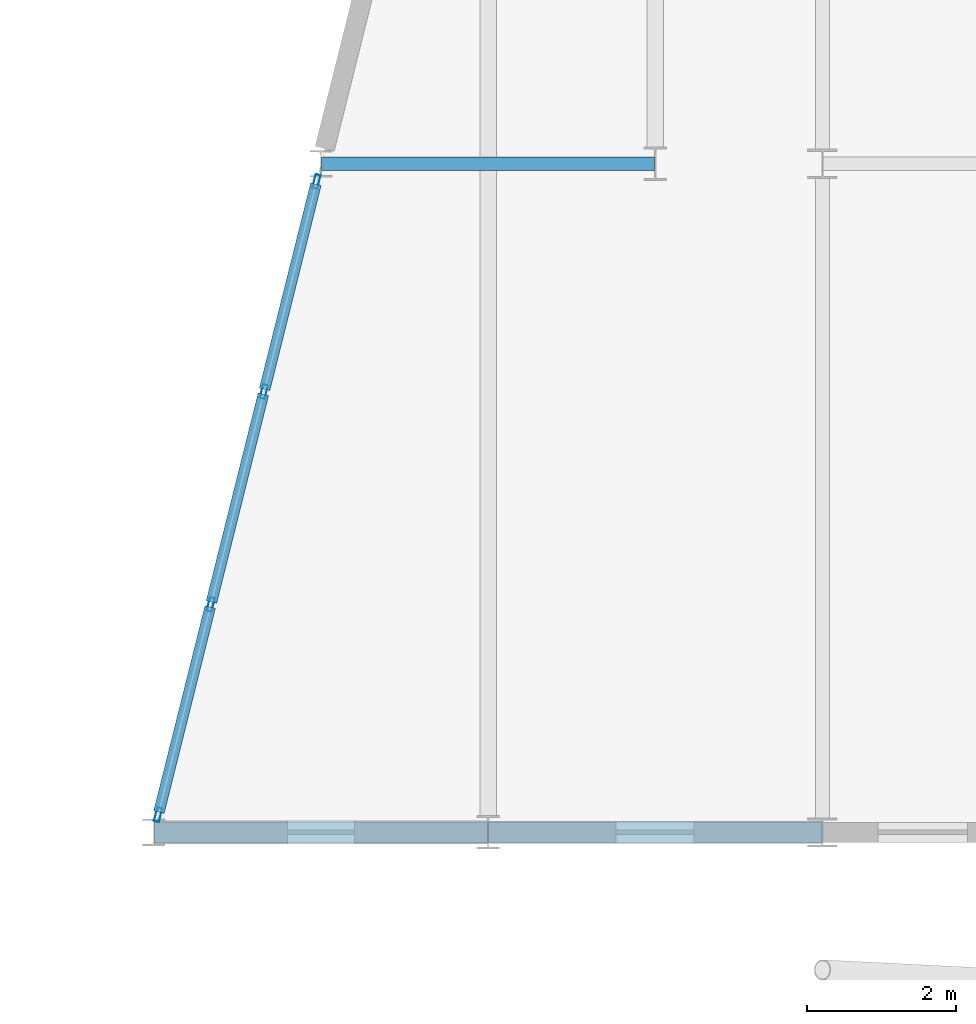
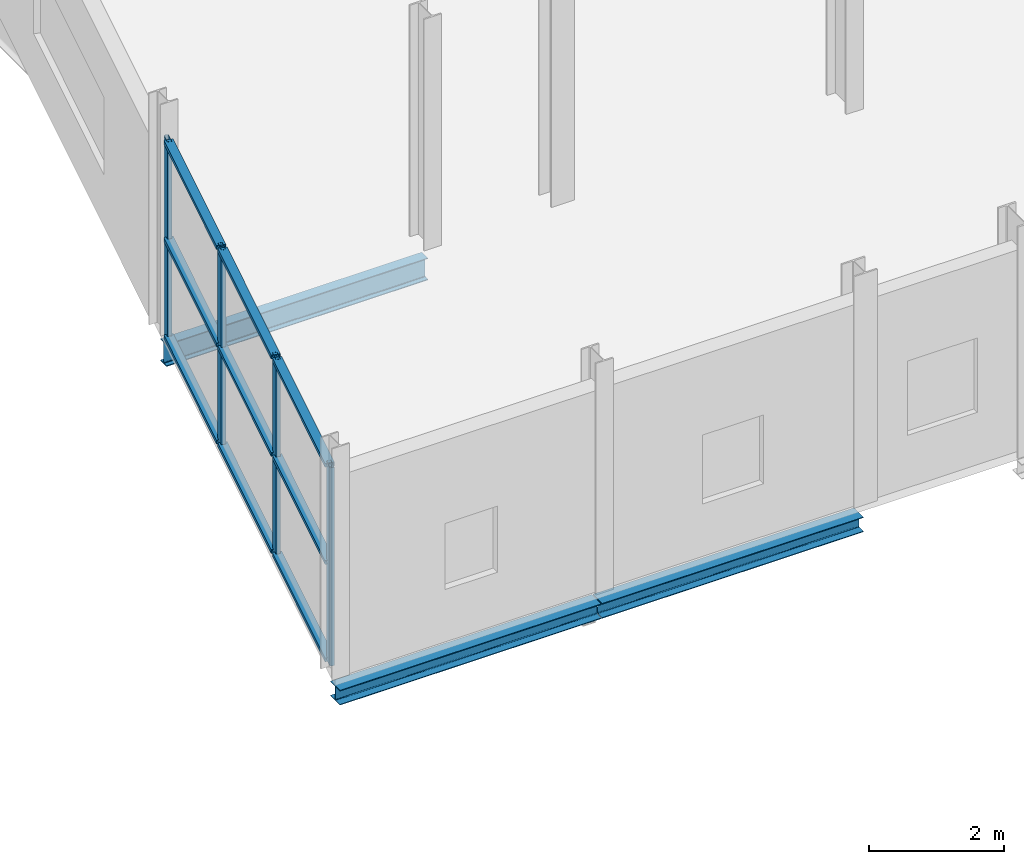
# One storey, part 55 of 140: 13 members, 3 beams, 1 element without a shape of its own.
"""IFC4 building model written with IfcOpenShell, lengths in metres."""

from ifc_helpers import new_model, si_unit, direction, frame, origin, origin_2d, place, context, subcontext, project, spatial, hollow_rectangle, i_section, extrude, material, layer, layer_set, material_profile, profile_set, type_object, element, aggregate, save


model = new_model("IFC4")

# Units and contexts
model_context = context("Model", 3, precision=1e-05, world=origin(), true_north=direction((0.0, 1.0)))
body_context = subcontext(model_context, "Body", "Model", "MODEL_VIEW")
ifc_project = project(units=[si_unit("LENGTHUNIT", "METRE"), si_unit("AREAUNIT", "SQUARE_METRE"), si_unit("VOLUMEUNIT", "CUBIC_METRE"), si_unit("PLANEANGLEUNIT", "RADIAN"), si_unit("MASSUNIT", "GRAM", prefix="KILO")], contexts=[model_context])

# Site, building, storey
site_placement = place(None, origin())
site = spatial("IfcSite", under=ifc_project, at=site_placement, CompositionType="ELEMENT")
building_placement = place(site_placement, origin())
building = spatial("IfcBuilding", under=site, at=building_placement, Name="Deido Ridge Mobility Hub", CompositionType="ELEMENT")
storey_placement = place(building_placement, origin())
storey = spatial("IfcBuildingStorey", under=building, at=storey_placement, Name="L00", CompositionType="ELEMENT", Elevation=0.0)

# Beam
ifc_material_1 = material(Name="Steel S355J2 EN 10025-2", Category="steel")
ifc_material_profile_1 = material_profile(ifc_material_1, i_section(OverallWidth=0.179931640625, OverallDepth=0.39990234375, WebThickness=0.008544921875, FlangeThickness=0.013427734375, FilletRadius=0.02099609375, at=origin_2d()), Name="IPE 400")
ifc_profile_set_1 = profile_set([ifc_material_profile_1], Name="Steel S355J2 EN 10025-2")
beam_type_1 = type_object("IfcBeamType", Name="BM-IPE400", PredefinedType="BEAM", material=ifc_profile_set_1)
beam_1_placement = place(storey_placement, frame((119.256103515625, 9.0, -0.4599609375), z_axis=(1.0, 0.0, 0.0), x_axis=(0.0, 1.0, 0.0)))
element("IfcBeam", 1, at=beam_1_placement, inside=storey, type_object=beam_type_1, Name="Floor beam B5", PredefinedType="BEAM", context=body_context, shape_type="SweptSolid", body=[
    extrude(i_section(OverallWidth=0.179931640625, OverallDepth=0.39990234375, WebThickness=0.008544921875, FlangeThickness=0.013427734375, FilletRadius=0.02099609375, at=origin_2d()), origin(), (0.0, 0.0, 1.0), 4.48681640625),
])

# Curtain wall, members
ifc_material_2 = material(Name="Anodised aluminium EN AW-6063 T6", Category="aluminium")
ifc_layer = layer(ifc_material_2, 0.239990234375, Name="Anodised aluminium EN AW-6063 T6")
ifc_layer_set = layer_set([ifc_layer], Name="Anodised aluminium EN AW-6063 T6")
curtain_wall_type = type_object("IfcCurtainWallType", Name="CW-UF-6", PredefinedType="USERDEFINED", material=ifc_layer_set)
curtain_wall_placement = place(storey_placement, origin())
curtain_wall = element("IfcCurtainWall", 2, at=curtain_wall_placement, inside=storey, type_object=curtain_wall_type, Name="Unitised curtain wall CW6", ObjectType="UNITISED FACADE", PredefinedType="USERDEFINED")
ifc_material_profile_2 = material_profile(ifc_material_2, hollow_rectangle(XDim=0.070068359375, YDim=0.18994140625, WallThickness=0.00390625, at=origin_2d()), Name="RHS 70x190x4")
ifc_profile_set_2 = profile_set([ifc_material_profile_2], Name="Anodised aluminium EN AW-6063 T6")
member_type_1 = type_object("IfcMemberType", Name="MEM-MUL-70X190", PredefinedType="MULLION", material=ifc_profile_set_2)
member_1_placement = place(storey_placement, frame((117.0595703125, 0.23876953125, 0.0), z_axis=(0.0, 0.0, 1.0), x_axis=(-0.970143828731, 0.242530310632, 0.0)))
member_1 = element("IfcMember", 3, at=member_1_placement, type_object=member_type_1, Name="CW6 mullion 1", PredefinedType="MULLION", context=body_context, shape_type="SweptSolid", body=[
    extrude(hollow_rectangle(XDim=0.070068359375, YDim=0.18994140625, WallThickness=0.00390625, at=origin_2d()), origin(), (0.0, 0.0, 1.0), 3.60009765625),
])
member_2_placement = place(storey_placement, frame((117.76708984375, 3.068115234375, 0.0), z_axis=(0.0, 0.0, 1.0), x_axis=(-0.970143828731, 0.242530310632, 0.0)))
member_2 = element("IfcMember", 4, at=member_2_placement, type_object=member_type_1, Name="CW6 mullion 2", PredefinedType="MULLION", context=body_context, shape_type="SweptSolid", body=[
    extrude(hollow_rectangle(XDim=0.070068359375, YDim=0.18994140625, WallThickness=0.00390625, at=origin_2d()), origin(), (0.0, 0.0, 1.0), 3.60009765625),
])
member_3_placement = place(storey_placement, frame((118.48291015625, 5.931884765625, 0.0), z_axis=(0.0, 0.0, 1.0), x_axis=(-0.970143828731, 0.242530310632, 0.0)))
member_3 = element("IfcMember", 5, at=member_3_placement, type_object=member_type_1, Name="CW6 mullion 3", PredefinedType="MULLION", context=body_context, shape_type="SweptSolid", body=[
    extrude(hollow_rectangle(XDim=0.070068359375, YDim=0.18994140625, WallThickness=0.00390625, at=origin_2d()), origin(), (0.0, 0.0, 1.0), 3.60009765625),
])
member_4_placement = place(storey_placement, frame((119.1904296875, 8.76123046875, 0.0), z_axis=(0.0, 0.0, 1.0), x_axis=(-0.970143828731, 0.242530310632, 0.0)))
member_4 = element("IfcMember", 6, at=member_4_placement, type_object=member_type_1, Name="CW6 mullion 4", PredefinedType="MULLION", context=body_context, shape_type="SweptSolid", body=[
    extrude(hollow_rectangle(XDim=0.070068359375, YDim=0.18994140625, WallThickness=0.00390625, at=origin_2d()), origin(), (0.0, 0.0, 1.0), 3.60009765625),
])
ifc_material_profile_3 = material_profile(ifc_material_2, hollow_rectangle(XDim=0.14501953125, YDim=0.070068359375, WallThickness=0.00390625, at=origin_2d()), Name="RHS 145x70x4")
ifc_profile_set_3 = profile_set([ifc_material_profile_3], Name="Anodised aluminium EN AW-6063 T6")
member_type_2 = type_object("IfcMemberType", Name="MEM-TRN-145X70", PredefinedType="USERDEFINED", material=ifc_profile_set_3)
member_5_placement = place(storey_placement, frame((117.068115234375, 0.272705078125, 0.034912109375), z_axis=(0.242555806014, 0.970137454678, 0.0), x_axis=(-0.970137454678, 0.242555806014, 0.0)))
member_5 = element("IfcMember", 7, at=member_5_placement, type_object=member_type_2, Name="CW6 transom 1.1", ObjectType="TRANSOM", PredefinedType="USERDEFINED", context=body_context, shape_type="SweptSolid", body=[
    extrude(hollow_rectangle(XDim=0.14501953125, YDim=0.070068359375, WallThickness=0.00390625, at=origin_2d()), origin(), (0.0, 0.0, 1.0), 2.846435546875),
])
member_6_placement = place(storey_placement, frame((117.068115234375, 0.272705078125, 1.800048828125), z_axis=(0.242555806014, 0.970137454678, 0.0), x_axis=(-0.970137454678, 0.242555806014, 0.0)))
member_6 = element("IfcMember", 8, at=member_6_placement, type_object=member_type_2, Name="CW6 transom 1.2", ObjectType="TRANSOM", PredefinedType="USERDEFINED", context=body_context, shape_type="SweptSolid", body=[
    extrude(hollow_rectangle(XDim=0.14501953125, YDim=0.070068359375, WallThickness=0.00390625, at=origin_2d()), origin(), (0.0, 0.0, 1.0), 2.846435546875),
])
member_7_placement = place(storey_placement, frame((117.068115234375, 0.272705078125, 3.56494140625), z_axis=(0.242555806014, 0.970137454678, 0.0), x_axis=(-0.970137454678, 0.242555806014, 0.0)))
member_7 = element("IfcMember", 9, at=member_7_placement, type_object=member_type_2, Name="CW6 transom 1.3", ObjectType="TRANSOM", PredefinedType="USERDEFINED", context=body_context, shape_type="SweptSolid", body=[
    extrude(hollow_rectangle(XDim=0.14501953125, YDim=0.070068359375, WallThickness=0.00390625, at=origin_2d()), origin(), (0.0, 0.0, 1.0), 2.846435546875),
])
member_8_placement = place(storey_placement, frame((117.775634765625, 3.102294921875, 0.034912109375), z_axis=(0.242495752138, 0.970152467499, 0.0), x_axis=(-0.970152467499, 0.242495752138, 0.0)))
member_8 = element("IfcMember", 10, at=member_8_placement, type_object=member_type_2, Name="CW6 transom 2.1", ObjectType="TRANSOM", PredefinedType="USERDEFINED", context=body_context, shape_type="SweptSolid", body=[
    extrude(hollow_rectangle(XDim=0.14501953125, YDim=0.070068359375, WallThickness=0.00390625, at=origin_2d()), origin(), (0.0, 0.0, 1.0), 2.88134765625),
])
member_9_placement = place(storey_placement, frame((117.775634765625, 3.102294921875, 1.800048828125), z_axis=(0.242495752138, 0.970152467499, 0.0), x_axis=(-0.970152467499, 0.242495752138, 0.0)))
member_9 = element("IfcMember", 11, at=member_9_placement, type_object=member_type_2, Name="CW6 transom 2.2", ObjectType="TRANSOM", PredefinedType="USERDEFINED", context=body_context, shape_type="SweptSolid", body=[
    extrude(hollow_rectangle(XDim=0.14501953125, YDim=0.070068359375, WallThickness=0.00390625, at=origin_2d()), origin(), (0.0, 0.0, 1.0), 2.88134765625),
])
member_10_placement = place(storey_placement, frame((117.775634765625, 3.102294921875, 3.56494140625), z_axis=(0.242495752138, 0.970152467499, 0.0), x_axis=(-0.970152467499, 0.242495752138, 0.0)))
member_10 = element("IfcMember", 12, at=member_10_placement, type_object=member_type_2, Name="CW6 transom 2.3", ObjectType="TRANSOM", PredefinedType="USERDEFINED", context=body_context, shape_type="SweptSolid", body=[
    extrude(hollow_rectangle(XDim=0.14501953125, YDim=0.070068359375, WallThickness=0.00390625, at=origin_2d()), origin(), (0.0, 0.0, 1.0), 2.88134765625),
])
member_11_placement = place(storey_placement, frame((118.491455078125, 5.9658203125, 0.034912109375), z_axis=(0.242555806014, 0.970137454678, 0.0), x_axis=(-0.970137454678, 0.242555806014, 0.0)))
member_11 = element("IfcMember", 13, at=member_11_placement, type_object=member_type_2, Name="CW6 transom 3.1", ObjectType="TRANSOM", PredefinedType="USERDEFINED", context=body_context, shape_type="SweptSolid", body=[
    extrude(hollow_rectangle(XDim=0.14501953125, YDim=0.070068359375, WallThickness=0.00390625, at=origin_2d()), origin(), (0.0, 0.0, 1.0), 2.846435546875),
])
member_12_placement = place(storey_placement, frame((118.491455078125, 5.9658203125, 1.800048828125), z_axis=(0.242555806014, 0.970137454678, 0.0), x_axis=(-0.970137454678, 0.242555806014, 0.0)))
member_12 = element("IfcMember", 14, at=member_12_placement, type_object=member_type_2, Name="CW6 transom 3.2", ObjectType="TRANSOM", PredefinedType="USERDEFINED", context=body_context, shape_type="SweptSolid", body=[
    extrude(hollow_rectangle(XDim=0.14501953125, YDim=0.070068359375, WallThickness=0.00390625, at=origin_2d()), origin(), (0.0, 0.0, 1.0), 2.846435546875),
])
member_13_placement = place(storey_placement, frame((118.491455078125, 5.9658203125, 3.56494140625), z_axis=(0.242555806014, 0.970137454678, 0.0), x_axis=(-0.970137454678, 0.242555806014, 0.0)))
member_13 = element("IfcMember", 15, at=member_13_placement, type_object=member_type_2, Name="CW6 transom 3.3", ObjectType="TRANSOM", PredefinedType="USERDEFINED", context=body_context, shape_type="SweptSolid", body=[
    extrude(hollow_rectangle(XDim=0.14501953125, YDim=0.070068359375, WallThickness=0.00390625, at=origin_2d()), origin(), (0.0, 0.0, 1.0), 2.846435546875),
])
aggregate(curtain_wall, [member_1, member_2, member_3, member_4, member_5, member_6, member_7, member_8, member_9, member_10, member_11, member_12, member_13])

# Beams
ifc_material_profile_4 = material_profile(ifc_material_1, i_section(OverallWidth=0.280029296875, OverallDepth=0.27001953125, WebThickness=0.008056640625, FlangeThickness=0.012939453125, FilletRadius=0.02392578125, at=origin_2d()), Name="HEA 280")
ifc_profile_set_4 = profile_set([ifc_material_profile_4], Name="Steel S355J2 EN 10025-2")
beam_type_2 = type_object("IfcBeamType", Name="SPD-HEA280", PredefinedType="SPANDREL", material=ifc_profile_set_4)
beam_2_placement = place(storey_placement, frame((117.006103515625, 0.0, -0.39501953125), z_axis=(1.0, 0.0, 0.0), x_axis=(0.0, 1.0, 0.0)))
element("IfcBeam", 16, at=beam_2_placement, inside=storey, type_object=beam_type_2, Name="Floor beam SP2", PredefinedType="SPANDREL", context=body_context, shape_type="SweptSolid", body=[
    extrude(i_section(OverallWidth=0.280029296875, OverallDepth=0.27001953125, WebThickness=0.008056640625, FlangeThickness=0.012939453125, FilletRadius=0.02392578125, at=origin_2d()), origin(), (0.0, 0.0, 1.0), 4.48681640625),
])
beam_3_placement = place(storey_placement, frame((121.507080078125, 0.0, -0.39501953125), z_axis=(1.0, 0.0, 0.0), x_axis=(0.0, 1.0, 0.0)))
element("IfcBeam", 17, at=beam_3_placement, inside=storey, type_object=beam_type_2, Name="Floor beam SP2", PredefinedType="SPANDREL", context=body_context, shape_type="SweptSolid", body=[
    extrude(i_section(OverallWidth=0.280029296875, OverallDepth=0.27001953125, WebThickness=0.008056640625, FlangeThickness=0.012939453125, FilletRadius=0.02392578125, at=origin_2d()), origin(), (0.0, 0.0, 1.0), 4.484130859375),
])

save(model, "model.ifc")
